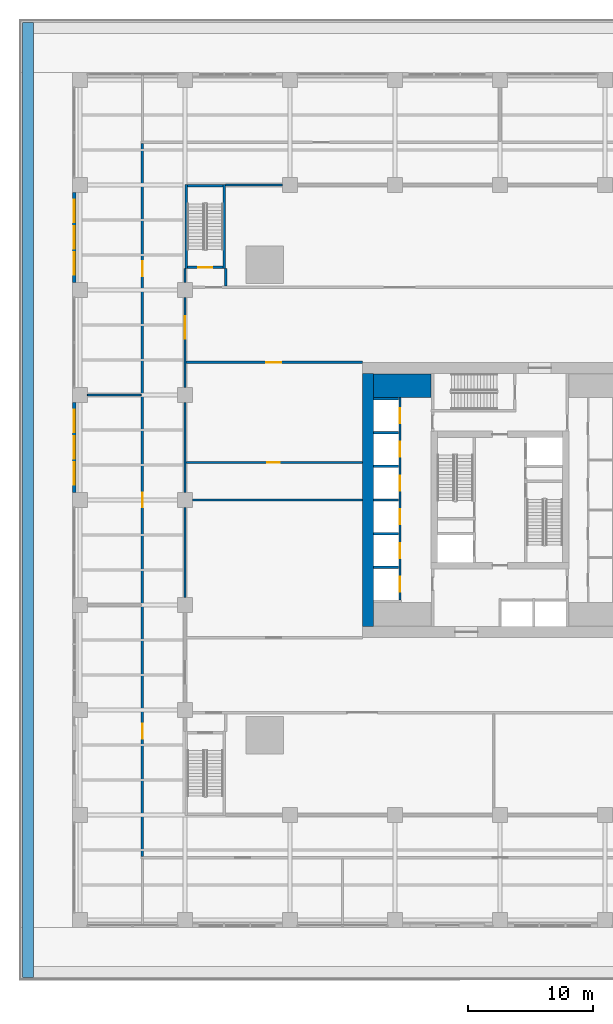
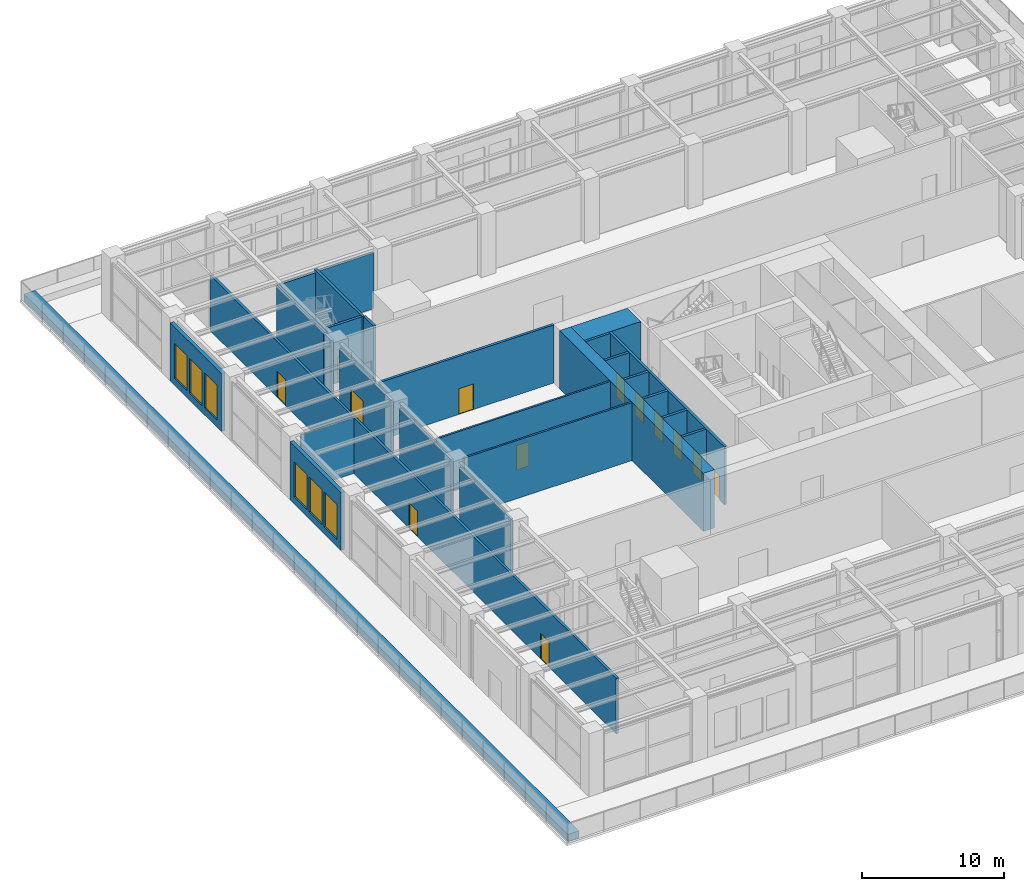
# One storey, part 24 of 36: 27 walls, 13 doors, 6 windows, 19 openings.
"""IFC4 building model written with IfcOpenShell, lengths in metres."""

from ifc_helpers import new_model, si_unit, direction, frame, frame_2d, origin, place, context, subcontext, project, spatial, rectangle, extrude, material, layer, layer_set, type_object, element, fill, save


model = new_model("IFC4")

# Units and contexts
model_context = context("Model", 3, precision=1e-05, world=origin(), true_north=direction((0.0, 1.0)))
body_context = subcontext(model_context, "Body", "Model", "MODEL_VIEW")
ifc_project = project(units=[si_unit("LENGTHUNIT", "METRE"), si_unit("AREAUNIT", "SQUARE_METRE"), si_unit("VOLUMEUNIT", "CUBIC_METRE"), si_unit("PLANEANGLEUNIT", "RADIAN"), si_unit("MASSUNIT", "GRAM", prefix="KILO")], contexts=[model_context])

# Site, building, storey
site_placement = place(None, origin())
site = spatial("IfcSite", under=ifc_project, at=site_placement, CompositionType="ELEMENT")
building_placement = place(site_placement, origin())
building = spatial("IfcBuilding", under=site, at=building_placement, Name="Khepri Terraces", CompositionType="ELEMENT")
storey_placement = place(building_placement, frame((0.0, 0.0, 16.800048828125)))
storey = spatial("IfcBuildingStorey", under=building, at=storey_placement, Name="L03", CompositionType="ELEMENT", Elevation=16.800048828125)

# Wall
ifc_material_1 = material(Name="Concrete C80/95", Category="concrete")
ifc_layer_1 = layer(ifc_material_1, 1.89990234375, Name="Concrete C80/95", Category="concrete")
ifc_layer_set_1 = layer_set([ifc_layer_1], Name="Concrete C80/95")
wall_type_1 = type_object("IfcWallType", Name="Core wall 1900 C80/95", PredefinedType="SHEAR", material=ifc_layer_set_1)
wall_1_placement = place(storey_placement, frame((-10.10009765625, 9.14990234375, 0.0), z_axis=(0.0, 0.0, 1.0), x_axis=(1.0, 0.0, 0.0)))
element("IfcWall", 1, at=wall_1_placement, inside=storey, type_object=wall_type_1, Name="Core wall PR03 L03", PredefinedType="SHEAR", context=body_context, shape_type="SweptSolid", body=[
    extrude(rectangle(XDim=4.60009765625, YDim=1.89990234375, at=frame_2d((2.300048828125, 0.0))), origin(), (0.0, 0.0, 1.0), 4.97998046875),
])

# Wall, openings, doors
ifc_layer_2 = layer(ifc_material_1, 0.199951171875, Name="Concrete C80/95", Category="concrete")
ifc_layer_set_2 = layer_set([ifc_layer_2], Name="Concrete C80/95")
wall_type_2 = type_object("IfcWallType", Name="Core wall 200 C80/95", PredefinedType="SHEAR", material=ifc_layer_set_2)
wall_2_placement = place(storey_placement, frame((-8.0, -8.0, 0.0), z_axis=(0.0, 0.0, 1.0), x_axis=(0.0, 1.0, 0.0)))
wall_2 = element("IfcWall", 2, at=wall_2_placement, inside=storey, type_object=wall_type_2, Name="Core wall SH08 L03", PredefinedType="SHEAR", context=body_context, shape_type="SweptSolid", body=[
    extrude(rectangle(XDim=16.199951171875, YDim=0.199951171875, at=frame_2d((8.10009765625, 0.0))), origin(), (0.0, 0.0, 1.0), 4.97998046875),
])
opening_1_placement = place(wall_2_placement, frame((0.64990234375, 0.0, 0.0)))
opening_1 = element("IfcOpeningElement", 3, at=opening_1_placement, cuts=wall_2, Name="Opening L03-C01", PredefinedType="OPENING", context=body_context, shape_type="SweptSolid", body=[
    extrude(rectangle(XDim=1.199951171875, YDim=2.10009765625, at=frame_2d((0.60009765625, 1.050048828125))), frame((0.0, 0.10986328125, 0.0), z_axis=(0.0, -1.0, 0.0), x_axis=(1.0, 0.0, 0.0)), (0.0, 0.0, 1.0), 0.219970703125),
])
opening_2_placement = place(wall_2_placement, frame((3.35009765625, 0.0, 0.0)))
opening_2 = element("IfcOpeningElement", 4, at=opening_2_placement, cuts=wall_2, Name="Opening L03-C02", PredefinedType="OPENING", context=body_context, shape_type="SweptSolid", body=[
    extrude(rectangle(XDim=1.199951171875, YDim=2.10009765625, at=frame_2d((0.60009765625, 1.050048828125))), frame((0.0, 0.10986328125, 0.0), z_axis=(0.0, -1.0, 0.0), x_axis=(1.0, 0.0, 0.0)), (0.0, 0.0, 1.0), 0.219970703125),
])
opening_3_placement = place(wall_2_placement, frame((6.050048828125, 0.0, 0.0)))
opening_3 = element("IfcOpeningElement", 5, at=opening_3_placement, cuts=wall_2, Name="Opening L03-C03", PredefinedType="OPENING", context=body_context, shape_type="SweptSolid", body=[
    extrude(rectangle(XDim=1.199951171875, YDim=2.10009765625, at=frame_2d((0.60009765625, 1.050048828125))), frame((0.0, 0.10986328125, 0.0), z_axis=(0.0, -1.0, 0.0), x_axis=(1.0, 0.0, 0.0)), (0.0, 0.0, 1.0), 0.219970703125),
])
opening_4_placement = place(wall_2_placement, frame((8.75, 0.0, 0.0)))
opening_4 = element("IfcOpeningElement", 6, at=opening_4_placement, cuts=wall_2, Name="Opening L03-C04", PredefinedType="OPENING", context=body_context, shape_type="SweptSolid", body=[
    extrude(rectangle(XDim=1.199951171875, YDim=2.10009765625, at=frame_2d((0.60009765625, 1.050048828125))), frame((0.0, 0.10986328125, 0.0), z_axis=(0.0, -1.0, 0.0), x_axis=(1.0, 0.0, 0.0)), (0.0, 0.0, 1.0), 0.219970703125),
])
opening_5_placement = place(wall_2_placement, frame((11.449951171875, 0.0, 0.0)))
opening_5 = element("IfcOpeningElement", 7, at=opening_5_placement, cuts=wall_2, Name="Opening L03-C05", PredefinedType="OPENING", context=body_context, shape_type="SweptSolid", body=[
    extrude(rectangle(XDim=1.199951171875, YDim=2.10009765625, at=frame_2d((0.60009765625, 1.050048828125))), frame((0.0, 0.10986328125, 0.0), z_axis=(0.0, -1.0, 0.0), x_axis=(1.0, 0.0, 0.0)), (0.0, 0.0, 1.0), 0.219970703125),
])
opening_6_placement = place(wall_2_placement, frame((14.14990234375, 0.0, 0.0)))
opening_6 = element("IfcOpeningElement", 8, at=opening_6_placement, cuts=wall_2, Name="Opening L03-C06", PredefinedType="OPENING", context=body_context, shape_type="SweptSolid", body=[
    extrude(rectangle(XDim=1.199951171875, YDim=2.10009765625, at=frame_2d((0.60009765625, 1.050048828125))), frame((0.0, 0.10986328125, 0.0), z_axis=(0.0, -1.0, 0.0), x_axis=(1.0, 0.0, 0.0)), (0.0, 0.0, 1.0), 0.219970703125),
])
ifc_material_2 = material(Name="Stainless steel 304", Category="steel")
door_type_1 = type_object("IfcDoorType", Name="DR-CORE-LANDING-1200", OperationType="NOTDEFINED", PredefinedType="DOOR", material=ifc_material_2)
door_1_placement = place(opening_1_placement, origin())
door_1 = element("IfcDoor", 9, at=door_1_placement, inside=storey, type_object=door_type_1, Name="Lift landing door L03-C01", OperationType="SLIDING_TO_LEFT", OverallHeight=2.10009765625, OverallWidth=1.199951171875, PredefinedType="DOOR", context=body_context, shape_type="SweptSolid", body=[
    extrude(rectangle(XDim=1.199951171875, YDim=2.10009765625, at=frame_2d((0.60009765625, 1.050048828125))), frame((0.0, 0.02490234375, 0.0), z_axis=(0.0, -1.0, 0.0), x_axis=(1.0, 0.0, 0.0)), (0.0, 0.0, 1.0), 0.050048828125),
])
fill(opening_1, door_1)
door_2_placement = place(opening_2_placement, origin())
door_2 = element("IfcDoor", 10, at=door_2_placement, inside=storey, type_object=door_type_1, Name="Lift landing door L03-C02", OperationType="SLIDING_TO_LEFT", OverallHeight=2.10009765625, OverallWidth=1.199951171875, PredefinedType="DOOR", context=body_context, shape_type="SweptSolid", body=[
    extrude(rectangle(XDim=1.199951171875, YDim=2.10009765625, at=frame_2d((0.60009765625, 1.050048828125))), frame((0.0, 0.02490234375, 0.0), z_axis=(0.0, -1.0, 0.0), x_axis=(1.0, 0.0, 0.0)), (0.0, 0.0, 1.0), 0.050048828125),
])
fill(opening_2, door_2)
door_3_placement = place(opening_3_placement, origin())
door_3 = element("IfcDoor", 11, at=door_3_placement, inside=storey, type_object=door_type_1, Name="Lift landing door L03-C03", OperationType="SLIDING_TO_LEFT", OverallHeight=2.10009765625, OverallWidth=1.199951171875, PredefinedType="DOOR", context=body_context, shape_type="SweptSolid", body=[
    extrude(rectangle(XDim=1.199951171875, YDim=2.10009765625, at=frame_2d((0.60009765625, 1.050048828125))), frame((0.0, 0.02490234375, 0.0), z_axis=(0.0, -1.0, 0.0), x_axis=(1.0, 0.0, 0.0)), (0.0, 0.0, 1.0), 0.050048828125),
])
fill(opening_3, door_3)
door_4_placement = place(opening_4_placement, origin())
door_4 = element("IfcDoor", 12, at=door_4_placement, inside=storey, type_object=door_type_1, Name="Lift landing door L03-C04", OperationType="SLIDING_TO_LEFT", OverallHeight=2.10009765625, OverallWidth=1.199951171875, PredefinedType="DOOR", context=body_context, shape_type="SweptSolid", body=[
    extrude(rectangle(XDim=1.199951171875, YDim=2.10009765625, at=frame_2d((0.60009765625, 1.050048828125))), frame((0.0, 0.02490234375, 0.0), z_axis=(0.0, -1.0, 0.0), x_axis=(1.0, 0.0, 0.0)), (0.0, 0.0, 1.0), 0.050048828125),
])
fill(opening_4, door_4)
door_5_placement = place(opening_5_placement, origin())
door_5 = element("IfcDoor", 13, at=door_5_placement, inside=storey, type_object=door_type_1, Name="Lift landing door L03-C05", OperationType="SLIDING_TO_LEFT", OverallHeight=2.10009765625, OverallWidth=1.199951171875, PredefinedType="DOOR", context=body_context, shape_type="SweptSolid", body=[
    extrude(rectangle(XDim=1.199951171875, YDim=2.10009765625, at=frame_2d((0.60009765625, 1.050048828125))), frame((0.0, 0.02490234375, 0.0), z_axis=(0.0, -1.0, 0.0), x_axis=(1.0, 0.0, 0.0)), (0.0, 0.0, 1.0), 0.050048828125),
])
fill(opening_5, door_5)
door_6_placement = place(opening_6_placement, origin())
door_6 = element("IfcDoor", 14, at=door_6_placement, inside=storey, type_object=door_type_1, Name="Lift landing door L03-C06", OperationType="SLIDING_TO_LEFT", OverallHeight=2.10009765625, OverallWidth=1.199951171875, PredefinedType="DOOR", context=body_context, shape_type="SweptSolid", body=[
    extrude(rectangle(XDim=1.199951171875, YDim=2.10009765625, at=frame_2d((0.60009765625, 1.050048828125))), frame((0.0, 0.02490234375, 0.0), z_axis=(0.0, -1.0, 0.0), x_axis=(1.0, 0.0, 0.0)), (0.0, 0.0, 1.0), 0.050048828125),
])
fill(opening_6, door_6)

# Walls
for number, where, z_axis, x_axis, name in (
    (15, (-10.10009765625, -5.39990234375, 0.0), (0.0, 0.0, 1.0), (1.0, 0.0, 0.0), "Core wall SH09 L03"),
    (16, (-10.10009765625, -2.699951171875, 0.0), (0.0, 0.0, 1.0), (1.0, 0.0, 0.0), "Core wall SH12 L03"),
    (17, (-10.10009765625, 0.0, 0.0), (0.0, 0.0, 1.0), (1.0, 0.0, 0.0), "Core wall SH14 L03"),
    (18, (-10.10009765625, 2.699951171875, 0.0), (0.0, 0.0, 1.0), (1.0, 0.0, 0.0), "Core wall SH17 L03"),
    (19, (-10.10009765625, 5.39990234375, 0.0), (0.0, 0.0, 1.0), (1.0, 0.0, 0.0), "Core wall SH19 L03"),
    (20, (-10.10009765625, 8.10009765625, 0.0), (0.0, 0.0, 1.0), (1.0, 0.0, 0.0), "Core wall SH20 L03"),
):
    element("IfcWall", number, at=place(storey_placement, frame(where, z_axis=z_axis, x_axis=x_axis)), inside=storey, type_object=wall_type_2, Name=name, PredefinedType="SHEAR", context=body_context, shape_type="SweptSolid", body=[
        extrude(rectangle(XDim=2.0, YDim=0.199951171875, at=frame_2d((1.0, 0.0))), origin(), (0.0, 0.0, 1.0), 4.97998046875),
    ])
ifc_layer_3 = layer(ifc_material_1, 0.89990234375, Name="Concrete C80/95", Category="concrete")
ifc_layer_set_3 = layer_set([ifc_layer_3], Name="Concrete C80/95")
wall_type_3 = type_object("IfcWallType", Name="Core wall 900 C80/95", PredefinedType="SHEAR", material=ifc_layer_set_3)
wall_3_placement = place(storey_placement, frame((-10.550048828125, -10.10009765625, 0.0), z_axis=(0.0, 0.0, 1.0), x_axis=(0.0, 1.0, 0.0)))
element("IfcWall", 21, at=wall_3_placement, inside=storey, type_object=wall_type_3, Name="Core wall OW-W L03", PredefinedType="SHEAR", context=body_context, shape_type="SweptSolid", body=[
    extrude(rectangle(XDim=20.2001953125, YDim=0.89990234375, at=frame_2d((10.10009765625, 0.0))), origin(), (0.0, 0.0, 1.0), 4.97998046875),
])

# Wall, openings, windows
ifc_material_3 = material(Name="Precast concrete C50/60 warm stone", Category="masonry")
ifc_layer_4 = layer(ifc_material_3, 0.300048828125, Name="Precast concrete C50/60 warm stone", Category="masonry")
ifc_layer_set_4 = layer_set([ifc_layer_4], Name="Precast concrete C50/60 warm stone")
wall_type_4 = type_object("IfcWallType", Name="WL-EXT-PRECAST-300", PredefinedType="STANDARD", material=ifc_layer_set_4)
wall_4_placement = place(storey_placement, frame((-34.050048828125, 24.60009765625, 0.0), z_axis=(0.0, 0.0, 1.0), x_axis=(0.0, -1.0, 0.0)))
wall_4 = element("IfcWall", 22, at=wall_4_placement, inside=storey, type_object=wall_type_4, Name="External wall L03 W", PredefinedType="STANDARD", context=body_context, shape_type="SweptSolid", body=[
    extrude(rectangle(XDim=7.2001953125, YDim=0.300048828125, at=frame_2d((3.60009765625, 0.0))), origin(), (0.0, 0.0, 1.0), 4.97998046875),
])
opening_7_placement = place(wall_4_placement, frame((0.60009765625, 0.0, 0.60009765625)))
opening_7 = element("IfcOpeningElement", 23, at=opening_7_placement, cuts=wall_4, Name="Opening WP1", PredefinedType="OPENING", context=body_context, shape_type="SweptSolid", body=[
    extrude(rectangle(XDim=1.800048828125, YDim=3.0, at=frame_2d((0.89990234375, 1.5))), frame((0.0, 0.16015625, 0.0), z_axis=(0.0, -1.0, 0.0), x_axis=(1.0, 0.0, 0.0)), (0.0, 0.0, 1.0), 0.320068359375),
])
opening_8_placement = place(wall_4_placement, frame((2.699951171875, 0.0, 0.60009765625)))
opening_8 = element("IfcOpeningElement", 24, at=opening_8_placement, cuts=wall_4, Name="Opening WP1", PredefinedType="OPENING", context=body_context, shape_type="SweptSolid", body=[
    extrude(rectangle(XDim=1.800048828125, YDim=3.0, at=frame_2d((0.89990234375, 1.5))), frame((0.0, 0.16015625, 0.0), z_axis=(0.0, -1.0, 0.0), x_axis=(1.0, 0.0, 0.0)), (0.0, 0.0, 1.0), 0.320068359375),
])
opening_9_placement = place(wall_4_placement, frame((4.800048828125, 0.0, 0.60009765625)))
opening_9 = element("IfcOpeningElement", 25, at=opening_9_placement, cuts=wall_4, Name="Opening WP1", PredefinedType="OPENING", context=body_context, shape_type="SweptSolid", body=[
    extrude(rectangle(XDim=1.800048828125, YDim=3.0, at=frame_2d((0.89990234375, 1.5))), frame((0.0, 0.16015625, 0.0), z_axis=(0.0, -1.0, 0.0), x_axis=(1.0, 0.0, 0.0)), (0.0, 0.0, 1.0), 0.320068359375),
])
ifc_material_4 = material(Name="Clear glass", Category="glass")
window_type = type_object("IfcWindowType", Name="WIN-POD-1800x3000", PartitioningType="SINGLE_PANEL", PredefinedType="WINDOW", material=ifc_material_4)
window_1_placement = place(opening_7_placement, origin())
window_1 = element("IfcWindow", 26, at=window_1_placement, inside=storey, type_object=window_type, Name="Window L03 W", OverallHeight=3.0, OverallWidth=1.800048828125, PartitioningType="SINGLE_PANEL", PredefinedType="WINDOW", context=body_context, shape_type="SweptSolid", body=[
    extrude(rectangle(XDim=1.800048828125, YDim=3.0, at=frame_2d((0.89990234375, 1.5))), frame((0.0, 0.030029296875, 0.0), z_axis=(0.0, -1.0, 0.0), x_axis=(1.0, 0.0, 0.0)), (0.0, 0.0, 1.0), 0.06005859375),
])
fill(opening_7, window_1)
window_2_placement = place(opening_8_placement, origin())
window_2 = element("IfcWindow", 27, at=window_2_placement, inside=storey, type_object=window_type, Name="Window L03 W", OverallHeight=3.0, OverallWidth=1.800048828125, PartitioningType="SINGLE_PANEL", PredefinedType="WINDOW", context=body_context, shape_type="SweptSolid", body=[
    extrude(rectangle(XDim=1.800048828125, YDim=3.0, at=frame_2d((0.89990234375, 1.5))), frame((0.0, 0.030029296875, 0.0), z_axis=(0.0, -1.0, 0.0), x_axis=(1.0, 0.0, 0.0)), (0.0, 0.0, 1.0), 0.06005859375),
])
fill(opening_8, window_2)
window_3_placement = place(opening_9_placement, origin())
window_3 = element("IfcWindow", 28, at=window_3_placement, inside=storey, type_object=window_type, Name="Window L03 W", OverallHeight=3.0, OverallWidth=1.800048828125, PartitioningType="SINGLE_PANEL", PredefinedType="WINDOW", context=body_context, shape_type="SweptSolid", body=[
    extrude(rectangle(XDim=1.800048828125, YDim=3.0, at=frame_2d((0.89990234375, 1.5))), frame((0.0, 0.030029296875, 0.0), z_axis=(0.0, -1.0, 0.0), x_axis=(1.0, 0.0, 0.0)), (0.0, 0.0, 1.0), 0.06005859375),
])
fill(opening_9, window_3)

wall_5_placement = place(storey_placement, frame((-34.050048828125, 7.800048828125, 0.0), z_axis=(0.0, 0.0, 1.0), x_axis=(0.0, -1.0, 0.0)))
wall_5 = element("IfcWall", 29, at=wall_5_placement, inside=storey, type_object=wall_type_4, Name="External wall L03 W", PredefinedType="STANDARD", context=body_context, shape_type="SweptSolid", body=[
    extrude(rectangle(XDim=7.199951171875, YDim=0.300048828125, at=frame_2d((3.60009765625, 0.0))), origin(), (0.0, 0.0, 1.0), 4.97998046875),
])
opening_10_placement = place(wall_5_placement, frame((0.60009765625, 0.0, 0.60009765625)))
opening_10 = element("IfcOpeningElement", 30, at=opening_10_placement, cuts=wall_5, Name="Opening WP1", PredefinedType="OPENING", context=body_context, shape_type="SweptSolid", body=[
    extrude(rectangle(XDim=1.800048828125, YDim=3.0, at=frame_2d((0.89990234375, 1.5))), frame((0.0, 0.16015625, 0.0), z_axis=(0.0, -1.0, 0.0), x_axis=(1.0, 0.0, 0.0)), (0.0, 0.0, 1.0), 0.320068359375),
])
opening_11_placement = place(wall_5_placement, frame((2.699951171875, 0.0, 0.60009765625)))
opening_11 = element("IfcOpeningElement", 31, at=opening_11_placement, cuts=wall_5, Name="Opening WP1", PredefinedType="OPENING", context=body_context, shape_type="SweptSolid", body=[
    extrude(rectangle(XDim=1.800048828125, YDim=3.0, at=frame_2d((0.89990234375, 1.5))), frame((0.0, 0.16015625, 0.0), z_axis=(0.0, -1.0, 0.0), x_axis=(1.0, 0.0, 0.0)), (0.0, 0.0, 1.0), 0.320068359375),
])
opening_12_placement = place(wall_5_placement, frame((4.800048828125, 0.0, 0.60009765625)))
opening_12 = element("IfcOpeningElement", 32, at=opening_12_placement, cuts=wall_5, Name="Opening WP1", PredefinedType="OPENING", context=body_context, shape_type="SweptSolid", body=[
    extrude(rectangle(XDim=1.800048828125, YDim=3.0, at=frame_2d((0.89990234375, 1.5))), frame((0.0, 0.16015625, 0.0), z_axis=(0.0, -1.0, 0.0), x_axis=(1.0, 0.0, 0.0)), (0.0, 0.0, 1.0), 0.320068359375),
])
window_4_placement = place(opening_10_placement, origin())
window_4 = element("IfcWindow", 33, at=window_4_placement, inside=storey, type_object=window_type, Name="Window L03 W", OverallHeight=3.0, OverallWidth=1.800048828125, PartitioningType="SINGLE_PANEL", PredefinedType="WINDOW", context=body_context, shape_type="SweptSolid", body=[
    extrude(rectangle(XDim=1.800048828125, YDim=3.0, at=frame_2d((0.89990234375, 1.5))), frame((0.0, 0.030029296875, 0.0), z_axis=(0.0, -1.0, 0.0), x_axis=(1.0, 0.0, 0.0)), (0.0, 0.0, 1.0), 0.06005859375),
])
fill(opening_10, window_4)
window_5_placement = place(opening_11_placement, origin())
window_5 = element("IfcWindow", 34, at=window_5_placement, inside=storey, type_object=window_type, Name="Window L03 W", OverallHeight=3.0, OverallWidth=1.800048828125, PartitioningType="SINGLE_PANEL", PredefinedType="WINDOW", context=body_context, shape_type="SweptSolid", body=[
    extrude(rectangle(XDim=1.800048828125, YDim=3.0, at=frame_2d((0.89990234375, 1.5))), frame((0.0, 0.030029296875, 0.0), z_axis=(0.0, -1.0, 0.0), x_axis=(1.0, 0.0, 0.0)), (0.0, 0.0, 1.0), 0.06005859375),
])
fill(opening_11, window_5)
window_6_placement = place(opening_12_placement, origin())
window_6 = element("IfcWindow", 35, at=window_6_placement, inside=storey, type_object=window_type, Name="Window L03 W", OverallHeight=3.0, OverallWidth=1.800048828125, PartitioningType="SINGLE_PANEL", PredefinedType="WINDOW", context=body_context, shape_type="SweptSolid", body=[
    extrude(rectangle(XDim=1.800048828125, YDim=3.0, at=frame_2d((0.89990234375, 1.5))), frame((0.0, 0.030029296875, 0.0), z_axis=(0.0, -1.0, 0.0), x_axis=(1.0, 0.0, 0.0)), (0.0, 0.0, 1.0), 0.06005859375),
])
fill(opening_12, window_6)

# Walls
ifc_layer_5 = layer(ifc_material_3, 0.89990234375, Name="Precast concrete C50/60 warm stone", Category="masonry")
ifc_layer_set_5 = layer_set([ifc_layer_5], Name="Precast concrete C50/60 warm stone")
wall_type_5 = type_object("IfcWallType", Name="WL-PLANTER-900", PredefinedType="MOVABLE", material=ifc_layer_set_5)
wall_6_placement = place(storey_placement, frame((-37.75, -38.199951171875, 0.0), z_axis=(0.0, 0.0, 1.0), x_axis=(0.0, 1.0, 0.0)))
element("IfcWall", 36, at=wall_6_placement, inside=storey, type_object=wall_type_5, Name="Planter L03", PredefinedType="MOVABLE", context=body_context, shape_type="SweptSolid", body=[
    extrude(rectangle(XDim=76.39990234375, YDim=0.89990234375, at=frame_2d((38.199951171875, 0.0))), origin(), (0.0, 0.0, 1.0), 0.599853515625),
])
ifc_material_5 = material(Name="Gypsum board partition")
ifc_layer_6 = layer(ifc_material_5, 0.14990234375, Name="Gypsum board partition")
ifc_layer_set_6 = layer_set([ifc_layer_6], Name="Gypsum board partition")
wall_type_6 = type_object("IfcWallType", Name="WL-POD-150", PredefinedType="PARTITIONING", material=ifc_layer_set_6)
wall_7_placement = place(storey_placement, frame((-24.60009765625, 0.0, 0.0), z_axis=(0.0, 0.0, 1.0), x_axis=(1.0, 0.0, 0.0)))
element("IfcWall", 37, at=wall_7_placement, inside=storey, type_object=wall_type_6, Name="Partition L03-PW015", PredefinedType="PARTITIONING", context=body_context, shape_type="SweptSolid", body=[
    extrude(rectangle(XDim=13.60009765625, YDim=0.14990234375, at=frame_2d((6.800048828125, 0.0))), origin(), (0.0, 0.0, 1.0), 4.97998046875),
])

# Wall, opening, door
wall_8_placement = place(storey_placement, frame((-25.10009765625, 3.0, 0.0), z_axis=(0.0, 0.0, 1.0), x_axis=(1.0, 0.0, 0.0)))
wall_8 = element("IfcWall", 38, at=wall_8_placement, inside=storey, type_object=wall_type_6, Name="Partition L03-PW017", PredefinedType="PARTITIONING", context=body_context, shape_type="SweptSolid", body=[
    extrude(rectangle(XDim=14.10009765625, YDim=0.14990234375, at=frame_2d((7.050048828125, 0.0))), origin(), (0.0, 0.0, 1.0), 4.97998046875),
])
opening_13_placement = place(wall_8_placement, frame((6.5, 0.0, 0.0)))
opening_13 = element("IfcOpeningElement", 39, at=opening_13_placement, cuts=wall_8, Name="Opening L03-P21", PredefinedType="OPENING", context=body_context, shape_type="SweptSolid", body=[
    extrude(rectangle(XDim=1.0, YDim=2.10009765625, at=frame_2d((0.5, 1.050048828125))), frame((0.0, 0.0849609375, 0.0), z_axis=(0.0, -1.0, 0.0), x_axis=(1.0, 0.0, 0.0)), (0.0, 0.0, 1.0), 0.169921875),
])
ifc_material_6 = material(Name="Timber veneer", Category="wood")
door_type_2 = type_object("IfcDoorType", Name="DR-POD-SINGLE-1000", OperationType="NOTDEFINED", PredefinedType="DOOR", material=ifc_material_6)
door_7_placement = place(opening_13_placement, origin())
door_7 = element("IfcDoor", 40, at=door_7_placement, inside=storey, type_object=door_type_2, Name="Door L03-P21", OperationType="SINGLE_SWING_LEFT", OverallHeight=2.10009765625, OverallWidth=1.0, PredefinedType="DOOR", context=body_context, shape_type="SweptSolid", body=[
    extrude(rectangle(XDim=1.0, YDim=2.10009765625, at=frame_2d((0.5, 1.050048828125))), frame((0.0, 0.02490234375, 0.0), z_axis=(0.0, -1.0, 0.0), x_axis=(1.0, 0.0, 0.0)), (0.0, 0.0, 1.0), 0.050048828125),
])
fill(opening_13, door_7)

# Wall
wall_9_placement = place(storey_placement, frame((-33.0, 8.39990234375, 0.0), z_axis=(0.0, 0.0, 1.0), x_axis=(1.0, 0.0, 0.0)))
element("IfcWall", 41, at=wall_9_placement, inside=storey, type_object=wall_type_6, Name="Partition L03-PW018", PredefinedType="PARTITIONING", context=body_context, shape_type="SweptSolid", body=[
    extrude(rectangle(XDim=4.300048828125, YDim=0.14990234375, at=frame_2d((2.14990234375, 0.0))), origin(), (0.0, 0.0, 1.0), 4.780029296875),
])

# Wall, opening, door
ifc_material_7 = material(Name="Fire-rated block wall")
ifc_layer_7 = layer(ifc_material_7, 0.199951171875, Name="Fire-rated block wall")
ifc_layer_set_7 = layer_set([ifc_layer_7], Name="Fire-rated block wall")
wall_type_7 = type_object("IfcWallType", Name="WL-POD-200-EI60", PredefinedType="PARTITIONING", material=ifc_layer_set_7)
wall_10_placement = place(storey_placement, frame((-25.10009765625, 11.0, 0.0), z_axis=(0.0, 0.0, 1.0), x_axis=(1.0, 0.0, 0.0)))
wall_10 = element("IfcWall", 42, at=wall_10_placement, inside=storey, type_object=wall_type_7, Name="Partition L03-PW020", PredefinedType="PARTITIONING", context=body_context, shape_type="SweptSolid", body=[
    extrude(rectangle(XDim=14.10009765625, YDim=0.199951171875, at=frame_2d((7.050048828125, 0.0))), origin(), (0.0, 0.0, 1.0), 4.97998046875),
])
opening_14_placement = place(wall_10_placement, frame((6.39990234375, 0.0, 0.0)))
opening_14 = element("IfcOpeningElement", 43, at=opening_14_placement, cuts=wall_10, Name="Opening L03-P22", PredefinedType="OPENING", context=body_context, shape_type="SweptSolid", body=[
    extrude(rectangle(XDim=1.199951171875, YDim=2.199951171875, at=frame_2d((0.60009765625, 1.10009765625))), frame((0.0, 0.10986328125, 0.0), z_axis=(0.0, -1.0, 0.0), x_axis=(1.0, 0.0, 0.0)), (0.0, 0.0, 1.0), 0.219970703125),
])
door_type_3 = type_object("IfcDoorType", Name="DR-POD-SINGLE-1200", OperationType="NOTDEFINED", PredefinedType="DOOR", material=ifc_material_6)
door_8_placement = place(opening_14_placement, origin())
door_8 = element("IfcDoor", 44, at=door_8_placement, inside=storey, type_object=door_type_3, Name="Door L03-P22", OperationType="SINGLE_SWING_RIGHT", OverallHeight=2.199951171875, OverallWidth=1.199951171875, PredefinedType="DOOR", context=body_context, shape_type="SweptSolid", body=[
    extrude(rectangle(XDim=1.199951171875, YDim=2.199951171875, at=frame_2d((0.60009765625, 1.10009765625))), frame((0.0, 0.02490234375, 0.0), z_axis=(0.0, -1.0, 0.0), x_axis=(1.0, 0.0, 0.0)), (0.0, 0.0, 1.0), 0.050048828125),
])
fill(opening_14, door_8)

# Wall
wall_11_placement = place(storey_placement, frame((-21.949951171875, 25.199951171875, 0.0), z_axis=(0.0, 0.0, 1.0), x_axis=(1.0, 0.0, 0.0)))
element("IfcWall", 45, at=wall_11_placement, inside=storey, type_object=wall_type_7, Name="Partition L03-PW024", PredefinedType="PARTITIONING", context=body_context, shape_type="SweptSolid", body=[
    extrude(rectangle(XDim=4.550048828125, YDim=0.199951171875, at=frame_2d((2.27490234375, 0.0))), origin(), (0.0, 0.0, 1.0), 4.780029296875),
])

# Wall, openings, doors
wall_12_placement = place(storey_placement, frame((-28.60009765625, -28.5, 0.0), z_axis=(0.0, 0.0, 1.0), x_axis=(0.0, 1.0, 0.0)))
wall_12 = element("IfcWall", 46, at=wall_12_placement, inside=storey, type_object=wall_type_7, Name="Partition L03-PW032", PredefinedType="PARTITIONING", context=body_context, shape_type="SweptSolid", body=[
    extrude(rectangle(XDim=57.0, YDim=0.199951171875, at=frame_2d((28.5, 0.0))), origin(), (0.0, 0.0, 1.0), 4.780029296875),
])
opening_15_placement = place(wall_12_placement, frame((9.39990234375, 0.0, 0.0)))
opening_15 = element("IfcOpeningElement", 47, at=opening_15_placement, cuts=wall_12, Name="Opening L03-P05", PredefinedType="OPENING", context=body_context, shape_type="SweptSolid", body=[
    extrude(rectangle(XDim=1.199951171875, YDim=2.199951171875, at=frame_2d((0.60009765625, 1.10009765625))), frame((0.0, 0.10986328125, 0.0), z_axis=(0.0, -1.0, 0.0), x_axis=(1.0, 0.0, 0.0)), (0.0, 0.0, 1.0), 0.219970703125),
])
opening_16_placement = place(wall_12_placement, frame((27.89990234375, 0.0, 0.0)))
opening_16 = element("IfcOpeningElement", 48, at=opening_16_placement, cuts=wall_12, Name="Opening L03-P19", PredefinedType="OPENING", context=body_context, shape_type="SweptSolid", body=[
    extrude(rectangle(XDim=1.199951171875, YDim=2.199951171875, at=frame_2d((0.60009765625, 1.10009765625))), frame((0.0, 0.10986328125, 0.0), z_axis=(0.0, -1.0, 0.0), x_axis=(1.0, 0.0, 0.0)), (0.0, 0.0, 1.0), 0.219970703125),
])
opening_17_placement = place(wall_12_placement, frame((46.39990234375, 0.0, 0.0)))
opening_17 = element("IfcOpeningElement", 49, at=opening_17_placement, cuts=wall_12, Name="Opening L03-P30", PredefinedType="OPENING", context=body_context, shape_type="SweptSolid", body=[
    extrude(rectangle(XDim=1.199951171875, YDim=2.199951171875, at=frame_2d((0.60009765625, 1.10009765625))), frame((0.0, 0.10986328125, 0.0), z_axis=(0.0, -1.0, 0.0), x_axis=(1.0, 0.0, 0.0)), (0.0, 0.0, 1.0), 0.219970703125),
])
door_9_placement = place(opening_15_placement, origin())
door_9 = element("IfcDoor", 50, at=door_9_placement, inside=storey, type_object=door_type_3, Name="Door L03-P05", OperationType="SINGLE_SWING_LEFT", OverallHeight=2.199951171875, OverallWidth=1.199951171875, PredefinedType="DOOR", context=body_context, shape_type="SweptSolid", body=[
    extrude(rectangle(XDim=1.199951171875, YDim=2.199951171875, at=frame_2d((0.60009765625, 1.10009765625))), frame((0.0, 0.02490234375, 0.0), z_axis=(0.0, -1.0, 0.0), x_axis=(1.0, 0.0, 0.0)), (0.0, 0.0, 1.0), 0.050048828125),
])
fill(opening_15, door_9)
door_10_placement = place(opening_16_placement, origin())
door_10 = element("IfcDoor", 51, at=door_10_placement, inside=storey, type_object=door_type_3, Name="Door L03-P19", OperationType="SINGLE_SWING_LEFT", OverallHeight=2.199951171875, OverallWidth=1.199951171875, PredefinedType="DOOR", context=body_context, shape_type="SweptSolid", body=[
    extrude(rectangle(XDim=1.199951171875, YDim=2.199951171875, at=frame_2d((0.60009765625, 1.10009765625))), frame((0.0, 0.02490234375, 0.0), z_axis=(0.0, -1.0, 0.0), x_axis=(1.0, 0.0, 0.0)), (0.0, 0.0, 1.0), 0.050048828125),
])
fill(opening_16, door_10)
door_11_placement = place(opening_17_placement, origin())
door_11 = element("IfcDoor", 52, at=door_11_placement, inside=storey, type_object=door_type_3, Name="Door L03-P30", OperationType="SINGLE_SWING_RIGHT", OverallHeight=2.199951171875, OverallWidth=1.199951171875, PredefinedType="DOOR", context=body_context, shape_type="SweptSolid", body=[
    extrude(rectangle(XDim=1.199951171875, YDim=2.199951171875, at=frame_2d((0.60009765625, 1.10009765625))), frame((0.0, 0.02490234375, 0.0), z_axis=(0.0, -1.0, 0.0), x_axis=(1.0, 0.0, 0.0)), (0.0, 0.0, 1.0), 0.050048828125),
])
fill(opening_17, door_11)

# Walls
for number, where, z_axis, x_axis, name in (
    (53, (-25.199951171875, -7.800048828125, 0.0), (0.0, 0.0, 1.0), (0.0, 1.0, 0.0), "Partition L03-PW036"),
    (54, (-25.199951171875, 0.60009765625, 0.0), (0.0, 0.0, 1.0), (0.0, 1.0, 0.0), "Partition L03-PW037"),
):
    element("IfcWall", number, at=place(storey_placement, frame(where, z_axis=z_axis, x_axis=x_axis)), inside=storey, type_object=wall_type_7, Name=name, PredefinedType="PARTITIONING", context=body_context, shape_type="SweptSolid", body=[
        extrude(rectangle(XDim=7.199951171875, YDim=0.199951171875, at=frame_2d((3.60009765625, 0.0))), origin(), (0.0, 0.0, 1.0), 4.679931640625),
    ])

# Wall, opening, door
wall_13_placement = place(storey_placement, frame((-25.199951171875, 9.0, 0.0), z_axis=(0.0, 0.0, 1.0), x_axis=(0.0, 1.0, 0.0)))
wall_13 = element("IfcWall", 55, at=wall_13_placement, inside=storey, type_object=wall_type_7, Name="Partition L03-PW038", PredefinedType="PARTITIONING", context=body_context, shape_type="SweptSolid", body=[
    extrude(rectangle(XDim=7.199951171875, YDim=0.199951171875, at=frame_2d((3.60009765625, 0.0))), origin(), (0.0, 0.0, 1.0), 4.679931640625),
])
opening_18_placement = place(wall_13_placement, frame((3.89990234375, 0.0, 0.0)))
opening_18 = element("IfcOpeningElement", 56, at=opening_18_placement, cuts=wall_13, Name="Opening L03-P25", PredefinedType="OPENING", context=body_context, shape_type="SweptSolid", body=[
    extrude(rectangle(XDim=1.800048828125, YDim=2.199951171875, at=frame_2d((0.89990234375, 1.10009765625))), frame((0.0, 0.10986328125, 0.0), z_axis=(0.0, -1.0, 0.0), x_axis=(1.0, 0.0, 0.0)), (0.0, 0.0, 1.0), 0.219970703125),
])
ifc_material_8 = material(Name="Painted steel", Category="steel")
door_type_4 = type_object("IfcDoorType", Name="DR-POD-FIRE-PAIR-1800", OperationType="DOUBLE_DOOR_SINGLE_SWING", PredefinedType="DOOR", material=ifc_material_8)
door_12_placement = place(opening_18_placement, origin())
door_12 = element("IfcDoor", 57, at=door_12_placement, inside=storey, type_object=door_type_4, Name="Fire door pair L03-P25", OperationType="DOUBLE_DOOR_SINGLE_SWING", OverallHeight=2.199951171875, OverallWidth=1.800048828125, PredefinedType="DOOR", context=body_context, shape_type="SweptSolid", body=[
    extrude(rectangle(XDim=1.800048828125, YDim=2.199951171875, at=frame_2d((0.89990234375, 1.10009765625))), frame((0.0, 0.02490234375, 0.0), z_axis=(0.0, -1.0, 0.0), x_axis=(1.0, 0.0, 0.0)), (0.0, 0.0, 1.0), 0.050048828125),
])
fill(opening_18, door_12)

# Walls
wall_14_placement = place(storey_placement, frame((-25.199951171875, 17.39990234375, 0.0), z_axis=(0.0, 0.0, 1.0), x_axis=(0.0, 1.0, 0.0)))
element("IfcWall", 58, at=wall_14_placement, inside=storey, type_object=wall_type_7, Name="Partition L03-PW039", PredefinedType="PARTITIONING", context=body_context, shape_type="SweptSolid", body=[
    extrude(rectangle(XDim=1.10009765625, YDim=0.199951171875, at=frame_2d((0.550048828125, 0.0))), origin(), (0.0, 0.0, 1.0), 4.679931640625),
])
wall_15_placement = place(storey_placement, frame((-21.949951171875, 17.10009765625, 0.0), z_axis=(0.0, 0.0, 1.0), x_axis=(0.0, 1.0, 0.0)))
element("IfcWall", 59, at=wall_15_placement, inside=storey, type_object=wall_type_7, Name="Partition L03-PW041", PredefinedType="PARTITIONING", context=body_context, shape_type="SweptSolid", body=[
    extrude(rectangle(XDim=1.39990234375, YDim=0.199951171875, at=frame_2d((0.699951171875, 0.0))), origin(), (0.0, 0.0, 1.0), 4.97998046875),
])
ifc_material_9 = material(Name="Concrete C40/50", Category="concrete")
ifc_layer_8 = layer(ifc_material_9, 0.199951171875, Name="Concrete C40/50", Category="concrete")
ifc_layer_set_8 = layer_set([ifc_layer_8], Name="Concrete C40/50")
wall_type_8 = type_object("IfcWallType", Name="WL-POD-STAIR-200", PredefinedType="SOLIDWALL", material=ifc_layer_set_8)
wall_16_placement = place(storey_placement, frame((-25.10009765625, 18.5, 0.0), z_axis=(0.0, 0.0, 1.0), x_axis=(0.0, 1.0, 0.0)))
element("IfcWall", 60, at=wall_16_placement, inside=storey, type_object=wall_type_8, Name="Stair enclosure PS-2 L03-W", PredefinedType="SOLIDWALL", context=body_context, shape_type="SweptSolid", body=[
    extrude(rectangle(XDim=6.739990234375, YDim=0.199951171875, at=frame_2d((3.3701171875, 0.0))), origin(), (0.0, 0.0, 1.0), 4.679931640625),
])
wall_17_placement = place(storey_placement, frame((-22.050048828125, 18.5, 0.0), z_axis=(0.0, 0.0, 1.0), x_axis=(0.0, 1.0, 0.0)))
element("IfcWall", 61, at=wall_17_placement, inside=storey, type_object=wall_type_8, Name="Stair enclosure PS-2 L03-E", PredefinedType="SOLIDWALL", context=body_context, shape_type="SweptSolid", body=[
    extrude(rectangle(XDim=6.739990234375, YDim=0.199951171875, at=frame_2d((3.3701171875, 0.0))), origin(), (0.0, 0.0, 1.0), 4.97998046875),
])

# Wall, opening, door
wall_18_placement = place(storey_placement, frame((-25.0, 18.60009765625, 0.0), z_axis=(0.0, 0.0, 1.0), x_axis=(1.0, 0.0, 0.0)))
wall_18 = element("IfcWall", 62, at=wall_18_placement, inside=storey, type_object=wall_type_8, Name="Stair enclosure PS-2 L03-S", PredefinedType="SOLIDWALL", context=body_context, shape_type="SweptSolid", body=[
    extrude(rectangle(XDim=2.85009765625, YDim=0.199951171875, at=frame_2d((1.425048828125, 0.0))), origin(), (0.0, 0.0, 1.0), 4.97998046875),
])
opening_19_placement = place(wall_18_placement, frame((0.875, 0.0, 0.0)))
opening_19 = element("IfcOpeningElement", 63, at=opening_19_placement, cuts=wall_18, Name="Opening L03-PS-2D", PredefinedType="OPENING", context=body_context, shape_type="SweptSolid", body=[
    extrude(rectangle(XDim=1.10009765625, YDim=2.199951171875, at=frame_2d((0.550048828125, 1.10009765625))), frame((0.0, 0.10986328125, 0.0), z_axis=(0.0, -1.0, 0.0), x_axis=(1.0, 0.0, 0.0)), (0.0, 0.0, 1.0), 0.219970703125),
])
door_type_5 = type_object("IfcDoorType", Name="DR-POD-STAIR-1100", OperationType="NOTDEFINED", PredefinedType="DOOR", material=ifc_material_8)
door_13_placement = place(opening_19_placement, origin())
door_13 = element("IfcDoor", 64, at=door_13_placement, inside=storey, type_object=door_type_5, Name="Stair door L03-PS-2D", OperationType="SINGLE_SWING_LEFT", OverallHeight=2.199951171875, OverallWidth=1.10009765625, PredefinedType="DOOR", context=body_context, shape_type="SweptSolid", body=[
    extrude(rectangle(XDim=1.10009765625, YDim=2.199951171875, at=frame_2d((0.550048828125, 1.10009765625))), frame((0.0, 0.02490234375, 0.0), z_axis=(0.0, -1.0, 0.0), x_axis=(1.0, 0.0, 0.0)), (0.0, 0.0, 1.0), 0.050048828125),
])
fill(opening_19, door_13)

# Wall
wall_19_placement = place(storey_placement, frame((-25.0, 25.139892578125, 0.0), z_axis=(0.0, 0.0, 1.0), x_axis=(1.0, 0.0, 0.0)))
element("IfcWall", 65, at=wall_19_placement, inside=storey, type_object=wall_type_8, Name="Stair enclosure PS-2 L03-N", PredefinedType="SOLIDWALL", context=body_context, shape_type="SweptSolid", body=[
    extrude(rectangle(XDim=2.85009765625, YDim=0.199951171875, at=frame_2d((1.425048828125, 0.0))), origin(), (0.0, 0.0, 1.0), 4.780029296875),
])

save(model, "model.ifc")
